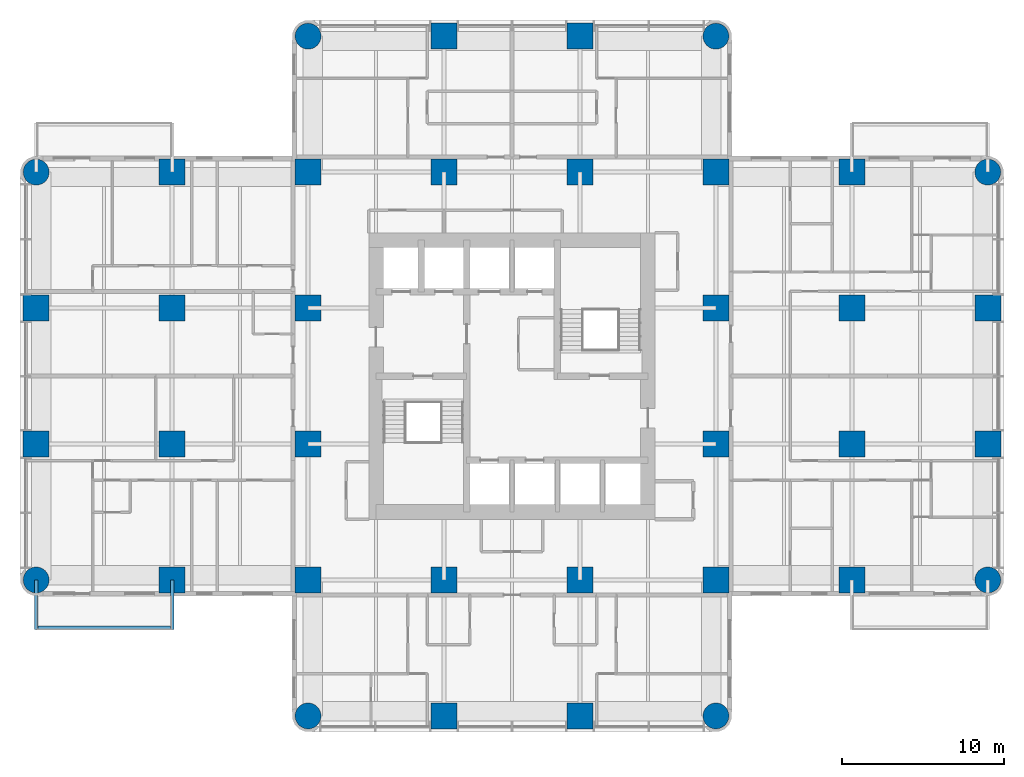
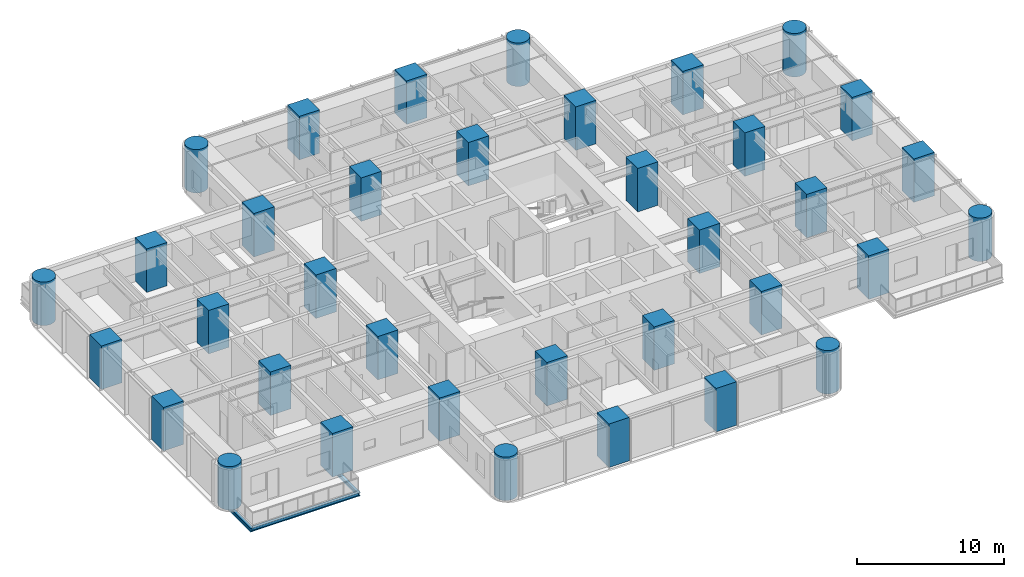
# One storey, part 1 of 15: 36 columns, 3 beams.
"""IFC4 building model written with IfcOpenShell, lengths in metres."""

import ifcopenshell
import ifcopenshell.guid

model = None  # the IFC model being written
_history = None  # IfcOwnerHistory: only IFC2X3 demands one
_inside = {}  # id of a spatial element -> (the spatial element, [elements in it])
_under = {}  # id of a project, library or spatial element -> (it, [spatial elements below it])
_declared = {}  # id of a project -> (the project, [libraries it declares])
_typed = {}  # id of a type object -> (the type object, [elements of that type])
_made_of = {}  # id of a material, layer set ... -> (it, [elements and type objects made of it])


def new_model(schema):
    """Start an empty IFC model of exactly this schema.

    Asked for "IFC4X3", IfcOpenShell would pick the latest addendum, in which some entities
    have other attributes; the version numbers below select the first issue.
    IFC2X3 requires an IfcOwnerHistory on every rooted entity: one is made here for all.
    """
    global model, _history
    if schema == "IFC4X3":
        model = ifcopenshell.file(schema_version=(4, 3, 0, 0))
    else:
        model = ifcopenshell.file(schema=schema)
    _inside.clear()
    _under.clear()
    _declared.clear()
    _typed.clear()
    _made_of.clear()
    _history = None
    if model.schema == "IFC2X3":
        org = make("IfcOrganization", Name="unknown")
        user = make(
            "IfcPersonAndOrganization",
            ThePerson=make("IfcPerson", FamilyName="unknown"),
            TheOrganization=org,
        )
        app = make(
            "IfcApplication",
            ApplicationDeveloper=org,
            Version="unknown",
            ApplicationFullName="unknown",
            ApplicationIdentifier="unknown",
        )
        _history = make(
            "IfcOwnerHistory",
            OwningUser=user,
            OwningApplication=app,
            ChangeAction="ADDED",
            CreationDate=0,
        )
    return model


def make(cls, **values):
    """One entity of the class cls with the attributes given. An attribute that is None is left unset."""
    return model.create_entity(
        cls, **{name: value for name, value in values.items() if value is not None}
    )


def rooted(cls, **values):
    """An entity with a GlobalId (a new one), such as an element, a storey or a relation."""
    return make(cls, GlobalId=ifcopenshell.guid.new(), OwnerHistory=_history, **values)


def si_unit(unit_type, name, prefix=None):
    """IfcSIUnit, for example si_unit("LENGTHUNIT", "METRE", prefix="MILLI")."""
    return make("IfcSIUnit", UnitType=unit_type, Prefix=prefix, Name=name)


def assignment(units):
    """IfcUnitAssignment: the units of a project."""
    return None if units is None else make("IfcUnitAssignment", Units=units)


def point(xyz):
    """IfcCartesianPoint."""
    return None if xyz is None else make("IfcCartesianPoint", Coordinates=xyz)


def direction(xyz):
    """IfcDirection."""
    return None if xyz is None else make("IfcDirection", DirectionRatios=xyz)


def frame(location, z_axis=None, x_axis=None):
    """IfcAxis2Placement3D, a coordinate frame: its origin and axes. An axis left out is left unset."""
    return make(
        "IfcAxis2Placement3D",
        Location=point(location),
        Axis=direction(z_axis),
        RefDirection=direction(x_axis),
    )


def frame_2d(location, x_axis=None):
    """IfcAxis2Placement2D, a coordinate frame in the plane: its origin and x axis."""
    return make(
        "IfcAxis2Placement2D", Location=point(location), RefDirection=direction(x_axis)
    )


def origin():
    """The frame at (0, 0, 0) with its axes left unset."""
    return frame((0.0, 0.0, 0.0))


def origin_2d():
    """The frame at (0, 0) in the plane with its x axis left unset."""
    return frame_2d((0.0, 0.0))


def place(relative_to, where):
    """IfcLocalPlacement: puts the frame where relative to a parent placement (None: the world)."""
    return make(
        "IfcLocalPlacement", PlacementRelTo=relative_to, RelativePlacement=where
    )


def context(
    kind, dimensions, precision=None, world=None, true_north=None, identifier=None
):
    """IfcGeometricRepresentationContext, for example the 3D "Model" context."""
    return make(
        "IfcGeometricRepresentationContext",
        ContextIdentifier=identifier,
        ContextType=kind,
        CoordinateSpaceDimension=dimensions,
        Precision=precision,
        WorldCoordinateSystem=world,
        TrueNorth=true_north,
    )


def subcontext(parent, identifier, kind, view, scale=None):
    """IfcGeometricRepresentationSubContext, for example "Body" below "Model"."""
    return make(
        "IfcGeometricRepresentationSubContext",
        ContextIdentifier=identifier,
        ContextType=kind,
        ParentContext=parent,
        TargetScale=scale,
        TargetView=view,
    )


def project(units=None, contexts=None):
    """IfcProject with its units and contexts."""
    return rooted(
        "IfcProject",
        Name="project",
        RepresentationContexts=contexts,
        UnitsInContext=assignment(units),
    )


def spatial(cls, under=None, at=None, **own):
    """A site, building, storey or space (cls), placed at a placement, below another one or the project."""
    s = rooted(cls, ObjectPlacement=at, **own)
    if under is not None:
        _under.setdefault(under.id(), (under, []))[1].append(s)
    return s


def profile(cls, at=None, kind="AREA", **sizes):
    """A parametric profile (cls). Its sizes go by their IFC names, for example OverallWidth=200.0."""
    return make(cls, ProfileType=kind, Position=at, **sizes)


def rectangle(**sizes):
    """IfcRectangleProfileDef."""
    return profile("IfcRectangleProfileDef", **sizes)


def circle(**sizes):
    """IfcCircleProfileDef."""
    return profile("IfcCircleProfileDef", **sizes)


def i_section(**sizes):
    """IfcIShapeProfileDef."""
    return profile("IfcIShapeProfileDef", **sizes)


def extrude(swept, where, along, depth):
    """IfcExtrudedAreaSolid: the profile swept, set in the frame where, extruded along a direction by depth."""
    return make(
        "IfcExtrudedAreaSolid",
        SweptArea=swept,
        Position=where,
        ExtrudedDirection=direction(along),
        Depth=depth,
    )


def shape(context_of_items, identifier, shape_type, items):
    """IfcShapeRepresentation: the items that make up one representation, for example the "Body"."""
    return make(
        "IfcShapeRepresentation",
        ContextOfItems=context_of_items,
        RepresentationIdentifier=identifier,
        RepresentationType=shape_type,
        Items=items,
    )


def material(Name=None, Category=None):
    """IfcMaterial."""
    return make("IfcMaterial", Name=Name, Category=Category)


def material_profile(
    of_material, cross_section, Name=None, Category=None, Priority=None
):
    """IfcMaterialProfile: a cross section and its material."""
    return make(
        "IfcMaterialProfile",
        Name=Name,
        Material=of_material,
        Profile=cross_section,
        Priority=Priority,
        Category=Category,
    )


def profile_set(profiles, Name=None, composite=None):
    """IfcMaterialProfileSet."""
    return make(
        "IfcMaterialProfileSet",
        Name=Name,
        MaterialProfiles=profiles,
        CompositeProfile=composite,
    )


def made_of(thing, what):
    """Note that an element or type object is made of a material, layer set ...; save() writes the relation."""
    if what is not None:
        _made_of.setdefault(what.id(), (what, []))[1].append(thing)
    return thing


def type_object(cls, material=None, **own):
    """A type object (cls), such as IfcWallType, which elements share."""
    return made_of(rooted(cls, **own), material)


def element(
    cls,
    number,
    at=None,
    inside=None,
    cuts=None,
    type_object=None,
    material=None,
    context=None,
    identifier="Body",
    shape_type=None,
    held_by="IfcProductDefinitionShape",
    body=None,
    shapes=None,
    **own,
):
    """One element of the class cls, such as IfcWall. Its Tag is "e" and its number.

    at: its placement. inside: the storey or other place that contains it. cuts: it is an
    opening in that element (IfcRelVoidsElement). A single representation is given by context,
    identifier, shape_type and body (its items); several are given by shapes. held_by: the class
    of the entity that holds the representations. save() writes the other relations.
    """
    e = rooted(cls, Tag="e%d" % number, ObjectPlacement=at, **own)
    if body is not None:
        shapes = [shape(context, identifier, shape_type, body)]
    if shapes is not None:
        e.Representation = make(held_by, Representations=shapes)
    if inside is not None:
        _inside.setdefault(inside.id(), (inside, []))[1].append(e)
    if cuts is not None:
        rooted(
            "IfcRelVoidsElement", RelatingBuildingElement=cuts, RelatedOpeningElement=e
        )
    if type_object is not None:
        _typed.setdefault(type_object.id(), (type_object, []))[1].append(e)
    return made_of(e, material)


def aggregate(whole, parts):
    """IfcRelAggregates: a whole, such as a stair, and the parts it consists of."""
    return rooted("IfcRelAggregates", RelatingObject=whole, RelatedObjects=parts)


def save(model, path):
    """Write the relations noted so far, then the file.

    IfcRelAggregates (storeys below a building ...), IfcRelContainedInSpatialStructure (elements
    in a storey), IfcRelDefinesByType, IfcRelAssociatesMaterial and IfcRelDeclares: one each for
    every whole, place, type object, material and project.
    """
    for whole, parts in _under.values():
        aggregate(whole, parts)
    for where, things in _inside.values():
        rooted(
            "IfcRelContainedInSpatialStructure",
            RelatedElements=things,
            RelatingStructure=where,
        )
    for kind, things in _typed.values():
        rooted("IfcRelDefinesByType", RelatedObjects=things, RelatingType=kind)
    for what, things in _made_of.values():
        rooted("IfcRelAssociatesMaterial", RelatedObjects=things, RelatingMaterial=what)
    for by, libraries in _declared.values():
        rooted("IfcRelDeclares", RelatingContext=by, RelatedDefinitions=libraries)
    model.write(path)


model = new_model("IFC4")

# Units and contexts
model_context = context("Model", 3, precision=1e-05, world=origin(), true_north=direction((0.0, 1.0)))
body_context = subcontext(model_context, "Body", "Model", "MODEL_VIEW")
ifc_project = project(units=[si_unit("LENGTHUNIT", "METRE"), si_unit("AREAUNIT", "SQUARE_METRE"), si_unit("VOLUMEUNIT", "CUBIC_METRE"), si_unit("PLANEANGLEUNIT", "RADIAN"), si_unit("MASSUNIT", "GRAM", prefix="KILO")], contexts=[model_context])

# Site, building, storey
site_placement = place(None, origin())
site = spatial("IfcSite", under=ifc_project, at=site_placement, CompositionType="ELEMENT")
building_placement = place(site_placement, origin())
building = spatial("IfcBuilding", under=site, at=building_placement, Name="Torre Alcanfor", CompositionType="ELEMENT")
storey_placement = place(building_placement, frame((0.0, 0.0, 116.10009765625)))
storey = spatial("IfcBuildingStorey", under=building, at=storey_placement, Name="L29", CompositionType="ELEMENT", Elevation=116.10009765625)

# Columns
ifc_material_1 = material(Name="Concrete f'c 70 MPa", Category="concrete")
ifc_material_profile_1 = material_profile(ifc_material_1, rectangle(XDim=1.60009765625, YDim=1.60009765625, at=origin_2d()), Name="1600x1600")
ifc_profile_set_1 = profile_set([ifc_material_profile_1], Name="Concrete f'c 70 MPa")
column_type_1 = type_object("IfcColumnType", Name="RC column 1600x1600 f'c70", PredefinedType="COLUMN", material=ifc_profile_set_1)
for number, where, z_axis, x_axis, name in (
    (1, (0.0, 25.199951171875, 0.0), (0.0, 0.0, 1.0), (1.0, 0.0, 0.0), "Column 1/F L29"),
    (2, (0.0, 33.60009765625, 0.0), (0.0, 0.0, 1.0), (1.0, 0.0, 0.0), "Column 1/G L29"),
    (3, (8.39990234375, 16.800048828125, 0.0), (0.0, 0.0, 1.0), (1.0, 0.0, 0.0), "Column 2/E L29"),
    (4, (8.39990234375, 25.199951171875, 0.0), (0.0, 0.0, 1.0), (1.0, 0.0, 0.0), "Column 2/F L29"),
    (5, (8.39990234375, 33.60009765625, 0.0), (0.0, 0.0, 1.0), (1.0, 0.0, 0.0), "Column 2/G L29"),
    (6, (8.39990234375, 42.0, 0.0), (0.0, 0.0, 1.0), (1.0, 0.0, 0.0), "Column 2/H L29"),
    (7, (16.800048828125, 16.800048828125, 0.0), (0.0, 0.0, 1.0), (1.0, 0.0, 0.0), "Column 3/E L29"),
    (8, (16.800048828125, 25.199951171875, 0.0), (0.0, 0.0, 1.0), (1.0, 0.0, 0.0), "Column 3/F L29"),
    (9, (16.800048828125, 33.60009765625, 0.0), (0.0, 0.0, 1.0), (1.0, 0.0, 0.0), "Column 3/G L29"),
    (10, (16.800048828125, 42.0, 0.0), (0.0, 0.0, 1.0), (1.0, 0.0, 0.0), "Column 3/H L29"),
    (11, (25.199951171875, 8.39990234375, 0.0), (0.0, 0.0, 1.0), (1.0, 0.0, 0.0), "Column 4/D L29"),
    (12, (25.199951171875, 16.800048828125, 0.0), (0.0, 0.0, 1.0), (1.0, 0.0, 0.0), "Column 4/E L29"),
    (13, (25.199951171875, 42.0, 0.0), (0.0, 0.0, 1.0), (1.0, 0.0, 0.0), "Column 4/H L29"),
    (14, (25.199951171875, 50.39990234375, 0.0), (0.0, 0.0, 1.0), (1.0, 0.0, 0.0), "Column 4/J L29"),
    (15, (33.60009765625, 8.39990234375, 0.0), (0.0, 0.0, 1.0), (1.0, 0.0, 0.0), "Column 5/D L29"),
    (16, (33.60009765625, 16.800048828125, 0.0), (0.0, 0.0, 1.0), (1.0, 0.0, 0.0), "Column 5/E L29"),
    (17, (33.60009765625, 42.0, 0.0), (0.0, 0.0, 1.0), (1.0, 0.0, 0.0), "Column 5/H L29"),
    (18, (33.60009765625, 50.39990234375, 0.0), (0.0, 0.0, 1.0), (1.0, 0.0, 0.0), "Column 5/J L29"),
    (19, (42.0, 16.800048828125, 0.0), (0.0, 0.0, 1.0), (1.0, 0.0, 0.0), "Column 6/E L29"),
    (20, (42.0, 25.199951171875, 0.0), (0.0, 0.0, 1.0), (1.0, 0.0, 0.0), "Column 6/F L29"),
    (21, (42.0, 33.60009765625, 0.0), (0.0, 0.0, 1.0), (1.0, 0.0, 0.0), "Column 6/G L29"),
    (22, (42.0, 42.0, 0.0), (0.0, 0.0, 1.0), (1.0, 0.0, 0.0), "Column 6/H L29"),
    (23, (50.39990234375, 16.800048828125, 0.0), (0.0, 0.0, 1.0), (1.0, 0.0, 0.0), "Column 7/E L29"),
    (24, (50.39990234375, 25.199951171875, 0.0), (0.0, 0.0, 1.0), (1.0, 0.0, 0.0), "Column 7/F L29"),
    (25, (50.39990234375, 33.60009765625, 0.0), (0.0, 0.0, 1.0), (1.0, 0.0, 0.0), "Column 7/G L29"),
    (26, (50.39990234375, 42.0, 0.0), (0.0, 0.0, 1.0), (1.0, 0.0, 0.0), "Column 7/H L29"),
    (27, (58.800048828125, 25.199951171875, 0.0), (0.0, 0.0, 1.0), (1.0, 0.0, 0.0), "Column 8/F L29"),
    (28, (58.800048828125, 33.60009765625, 0.0), (0.0, 0.0, 1.0), (1.0, 0.0, 0.0), "Column 8/G L29"),
):
    element("IfcColumn", number, at=place(storey_placement, frame(where, z_axis=z_axis, x_axis=x_axis)), inside=storey, type_object=column_type_1, Name=name, PredefinedType="COLUMN", context=body_context, shape_type="SweptSolid", body=[
        extrude(rectangle(XDim=1.60009765625, YDim=1.60009765625, at=origin_2d()), origin(), (0.0, 0.0, 1.0), 3.599853515625),
    ])
ifc_material_2 = material(Name="Concrete f'c 70 MPa", Category="concrete")
ifc_material_profile_2 = material_profile(ifc_material_2, circle(Radius=0.800048828125, at=origin_2d()), Name="D1600")
ifc_profile_set_2 = profile_set([ifc_material_profile_2], Name="Concrete f'c 70 MPa")
column_type_2 = type_object("IfcColumnType", Name="RC column D1600 f'c70", PredefinedType="COLUMN", material=ifc_profile_set_2)
for number, where, z_axis, x_axis, name in (
    (29, (0.0, 16.800048828125, 0.0), (0.0, 0.0, 1.0), (1.0, 0.0, 0.0), "Column 1/E L29"),
    (30, (0.0, 42.0, 0.0), (0.0, 0.0, 1.0), (1.0, 0.0, 0.0), "Column 1/H L29"),
    (31, (16.800048828125, 8.39990234375, 0.0), (0.0, 0.0, 1.0), (1.0, 0.0, 0.0), "Column 3/D L29"),
    (32, (16.800048828125, 50.39990234375, 0.0), (0.0, 0.0, 1.0), (1.0, 0.0, 0.0), "Column 3/J L29"),
    (33, (42.0, 8.39990234375, 0.0), (0.0, 0.0, 1.0), (1.0, 0.0, 0.0), "Column 6/D L29"),
    (34, (42.0, 50.39990234375, 0.0), (0.0, 0.0, 1.0), (1.0, 0.0, 0.0), "Column 6/J L29"),
    (35, (58.800048828125, 16.800048828125, 0.0), (0.0, 0.0, 1.0), (1.0, 0.0, 0.0), "Column 8/E L29"),
    (36, (58.800048828125, 42.0, 0.0), (0.0, 0.0, 1.0), (1.0, 0.0, 0.0), "Column 8/H L29"),
):
    element("IfcColumn", number, at=place(storey_placement, frame(where, z_axis=z_axis, x_axis=x_axis)), inside=storey, type_object=column_type_2, Name=name, PredefinedType="COLUMN", context=body_context, shape_type="SweptSolid", body=[
        extrude(circle(Radius=0.800048828125, at=origin_2d()), origin(), (0.0, 0.0, 1.0), 3.599853515625),
    ])

# Beams
ifc_material_3 = material(Name="Steel ASTM A992 Grade 50", Category="steel")
ifc_material_profile_3 = material_profile(ifc_material_3, i_section(OverallWidth=0.205322265625, OverallDepth=0.309814453125, WebThickness=0.00927734375, FlangeThickness=0.016357421875, at=origin_2d()), Name="W12x50")
ifc_profile_set_3 = profile_set([ifc_material_profile_3], Name="Steel ASTM A992 Grade 50")
beam_type_1 = type_object("IfcBeamType", Name="Balcony cantilever beam W12x50", PredefinedType="BEAM", material=ifc_profile_set_3)
for number, where, z_axis, x_axis, name in (
    (37, (8.39990234375, 16.800048828125, -0.35498046875), (0.0, -1.0, 0.0), (1.0, 0.0, 0.0), "Balcony cantilever beam L29-W1 1"),
    (38, (0.0, 16.800048828125, -0.35498046875), (0.0, -1.0, 0.0), (1.0, 0.0, 0.0), "Balcony cantilever beam L29-W1 2"),
):
    element("IfcBeam", number, at=place(storey_placement, frame(where, z_axis=z_axis, x_axis=x_axis)), inside=storey, type_object=beam_type_1, Name=name, PredefinedType="BEAM", context=body_context, shape_type="SweptSolid", body=[
        extrude(i_section(OverallWidth=0.205322265625, OverallDepth=0.309814453125, WebThickness=0.00927734375, FlangeThickness=0.016357421875, at=origin_2d()), origin(), (0.0, 0.0, 1.0), 3.050048828125),
    ])
ifc_material_4 = material(Name="Steel ASTM A992 Grade 50", Category="steel")
ifc_material_profile_4 = material_profile(ifc_material_4, i_section(OverallWidth=0.203369140625, OverallDepth=0.30224609375, WebThickness=0.007568359375, FlangeThickness=0.01318359375, at=origin_2d()), Name="W12x40")
ifc_profile_set_4 = profile_set([ifc_material_profile_4], Name="Steel ASTM A992 Grade 50")
beam_type_2 = type_object("IfcBeamType", Name="Balcony edge trimmer W12x40", PredefinedType="BEAM", material=ifc_profile_set_4)
beam_placement = place(storey_placement, frame((8.39990234375, 13.851806640625, -0.351318359375), z_axis=(-1.0, 0.0, 0.0), x_axis=(0.0, -1.0, 0.0)))
element("IfcBeam", 39, at=beam_placement, inside=storey, type_object=beam_type_2, Name="Balcony edge trimmer L29-W1", PredefinedType="BEAM", context=body_context, shape_type="SweptSolid", body=[
    extrude(i_section(OverallWidth=0.203369140625, OverallDepth=0.30224609375, WebThickness=0.007568359375, FlangeThickness=0.01318359375, at=origin_2d()), origin(), (0.0, 0.0, 1.0), 8.39990234375),
])

save(model, "model.ifc")
